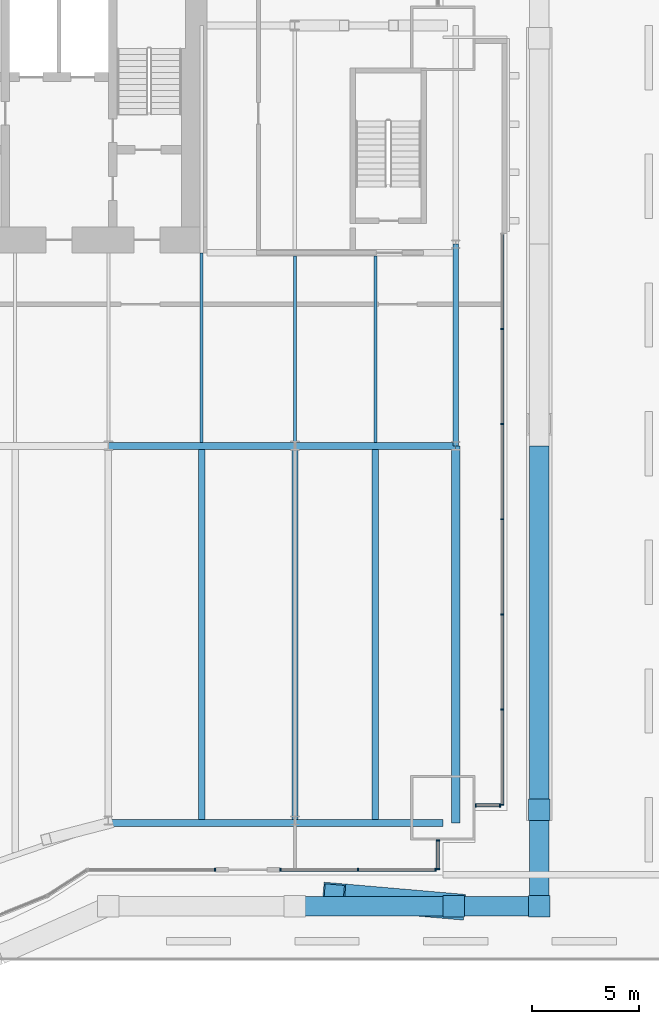
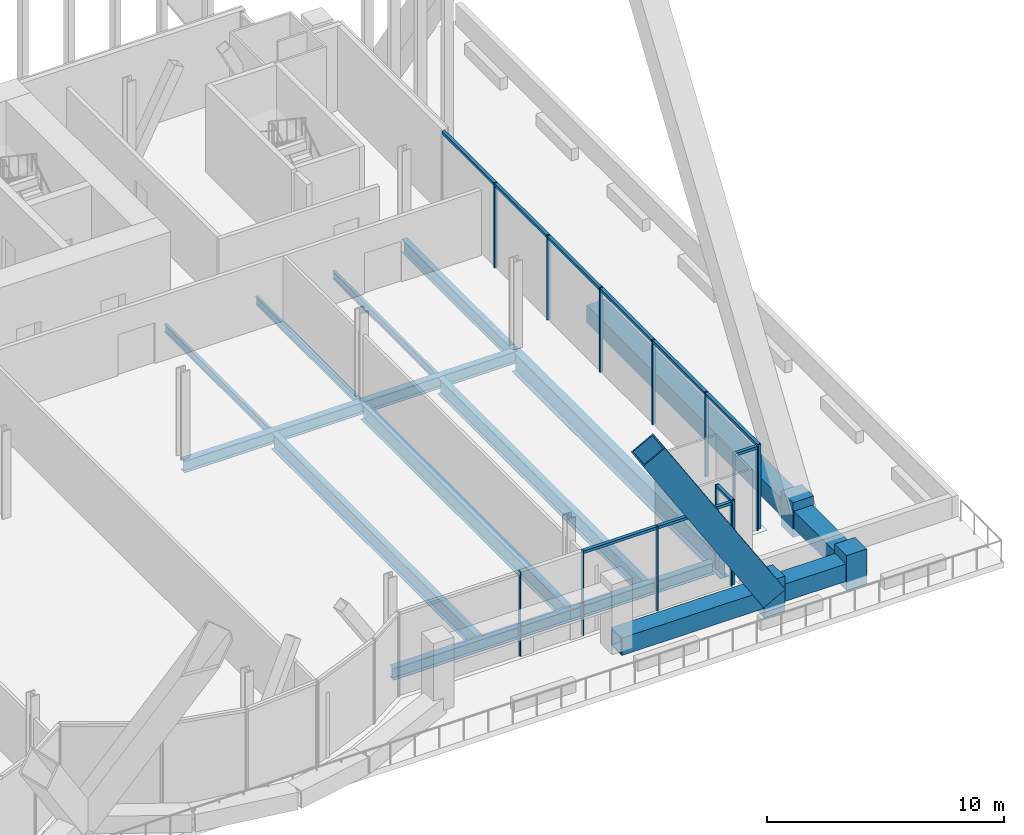
# One storey, part 15 of 29: 32 members, 12 beams, 5 elements without a shape of their own.
"""IFC4 building model written with IfcOpenShell, lengths in metres."""

from ifc_helpers import new_model, si_unit, direction, frame, origin, origin_2d, place, context, subcontext, project, spatial, rectangle, hollow_rectangle, i_section, extrude, material, material_profile, profile_set, type_object, element, aggregate, save


model = new_model("IFC4")

# Units and contexts
model_context = context("Model", 3, precision=1e-05, world=origin(), true_north=direction((0.0, 1.0)))
body_context = subcontext(model_context, "Body", "Model", "MODEL_VIEW")
ifc_project = project(units=[si_unit("LENGTHUNIT", "METRE"), si_unit("AREAUNIT", "SQUARE_METRE"), si_unit("VOLUMEUNIT", "CUBIC_METRE"), si_unit("PLANEANGLEUNIT", "RADIAN"), si_unit("MASSUNIT", "GRAM", prefix="KILO")], contexts=[model_context])

# Site, building, storey
site_placement = place(None, origin())
site = spatial("IfcSite", under=ifc_project, at=site_placement, CompositionType="ELEMENT")
building_placement = place(site_placement, origin())
building = spatial("IfcBuilding", under=site, at=building_placement, Name="Bicima Exchange Tower", CompositionType="ELEMENT")
storey_placement = place(building_placement, frame((0.0, 0.0, 35.0)))
storey = spatial("IfcBuildingStorey", under=building, at=storey_placement, Name="L06", CompositionType="ELEMENT", Elevation=35.0)

# Curtain wall, members
ifc_material_1 = material(Name="Anodised bronze aluminium", Category="aluminium")
curtain_wall_type_1 = type_object("IfcCurtainWallType", Name="End face glass wall", PredefinedType="NOTDEFINED", material=ifc_material_1)
curtain_wall_1_placement = place(storey_placement, origin())
curtain_wall_1 = element("IfcCurtainWall", 1, at=curtain_wall_1_placement, inside=storey, type_object=curtain_wall_type_1, Name="End face glass wall L06 run 19", PredefinedType="NOTDEFINED")
ifc_material_profile_1 = material_profile(ifc_material_1, rectangle(XDim=0.159912109375, YDim=0.06005859375, at=origin_2d()))
ifc_profile_set_1 = profile_set([ifc_material_profile_1], Name="Anodised bronze aluminium")
member_type_1 = type_object("IfcMemberType", Name="End face glass wall mullion 60 x 160", PredefinedType="MULLION", material=ifc_profile_set_1)
member_1_placement = place(storey_placement, frame((35.77001953125, -38.739990234375, 0.0), z_axis=(0.0, 0.0, 1.0), x_axis=(-1.0, 0.0, 0.0)))
member_1 = element("IfcMember", 2, at=member_1_placement, type_object=member_type_1, Name="End face glass wall mullion 1", PredefinedType="MULLION", context=body_context, shape_type="SweptSolid", body=[
    extrude(rectangle(XDim=0.159912109375, YDim=0.06005859375, at=origin_2d()), origin(), (0.0, 0.0, 1.0), 4.35009765625),
])
member_2_placement = place(storey_placement, frame((35.77001953125, -34.3017578125, 0.0), z_axis=(0.0, 0.0, 1.0), x_axis=(-1.0, 0.0, 0.0)))
member_2 = element("IfcMember", 3, at=member_2_placement, type_object=member_type_1, Name="End face glass wall mullion 2", PredefinedType="MULLION", context=body_context, shape_type="SweptSolid", body=[
    extrude(rectangle(XDim=0.159912109375, YDim=0.06005859375, at=origin_2d()), origin(), (0.0, 0.0, 1.0), 4.35009765625),
])
member_3_placement = place(storey_placement, frame((35.77001953125, -29.86328125, 0.0), z_axis=(0.0, 0.0, 1.0), x_axis=(-1.0, 0.0, 0.0)))
member_3 = element("IfcMember", 4, at=member_3_placement, type_object=member_type_1, Name="End face glass wall mullion 3", PredefinedType="MULLION", context=body_context, shape_type="SweptSolid", body=[
    extrude(rectangle(XDim=0.159912109375, YDim=0.06005859375, at=origin_2d()), origin(), (0.0, 0.0, 1.0), 4.35009765625),
])
member_4_placement = place(storey_placement, frame((35.77001953125, -25.425048828125, 0.0), z_axis=(0.0, 0.0, 1.0), x_axis=(-1.0, 0.0, 0.0)))
member_4 = element("IfcMember", 5, at=member_4_placement, type_object=member_type_1, Name="End face glass wall mullion 4", PredefinedType="MULLION", context=body_context, shape_type="SweptSolid", body=[
    extrude(rectangle(XDim=0.159912109375, YDim=0.06005859375, at=origin_2d()), origin(), (0.0, 0.0, 1.0), 4.35009765625),
])
member_5_placement = place(storey_placement, frame((35.77001953125, -20.98681640625, 0.0), z_axis=(0.0, 0.0, 1.0), x_axis=(-1.0, 0.0, 0.0)))
member_5 = element("IfcMember", 6, at=member_5_placement, type_object=member_type_1, Name="End face glass wall mullion 5", PredefinedType="MULLION", context=body_context, shape_type="SweptSolid", body=[
    extrude(rectangle(XDim=0.159912109375, YDim=0.06005859375, at=origin_2d()), origin(), (0.0, 0.0, 1.0), 4.35009765625),
])
member_6_placement = place(storey_placement, frame((35.77001953125, -16.54833984375, 0.0), z_axis=(0.0, 0.0, 1.0), x_axis=(-1.0, 0.0, 0.0)))
member_6 = element("IfcMember", 7, at=member_6_placement, type_object=member_type_1, Name="End face glass wall mullion 6", PredefinedType="MULLION", context=body_context, shape_type="SweptSolid", body=[
    extrude(rectangle(XDim=0.159912109375, YDim=0.06005859375, at=origin_2d()), origin(), (0.0, 0.0, 1.0), 4.35009765625),
])
ifc_material_profile_2 = material_profile(ifc_material_1, rectangle(XDim=0.159912109375, YDim=0.139892578125, at=origin_2d()))
ifc_profile_set_2 = profile_set([ifc_material_profile_2], Name="Anodised bronze aluminium")
member_type_2 = type_object("IfcMemberType", Name="End face glass wall transom 140 x 160", PredefinedType="USERDEFINED", material=ifc_profile_set_2)
member_7_placement = place(storey_placement, frame((35.77001953125, -38.7099609375, 4.280029296875), z_axis=(0.0, 1.0, 0.0), x_axis=(-1.0, 0.0, 0.0)))
member_7 = element("IfcMember", 8, at=member_7_placement, type_object=member_type_2, Name="End face glass wall transom 1.1", ObjectType="TRANSOM", PredefinedType="USERDEFINED", context=body_context, shape_type="SweptSolid", body=[
    extrude(rectangle(XDim=0.159912109375, YDim=0.139892578125, at=origin_2d()), origin(), (0.0, 0.0, 1.0), 4.378173828125),
])
member_8_placement = place(storey_placement, frame((35.77001953125, -34.271728515625, 4.280029296875), z_axis=(0.0, 1.0, 0.0), x_axis=(-1.0, 0.0, 0.0)))
member_8 = element("IfcMember", 9, at=member_8_placement, type_object=member_type_2, Name="End face glass wall transom 2.1", ObjectType="TRANSOM", PredefinedType="USERDEFINED", context=body_context, shape_type="SweptSolid", body=[
    extrude(rectangle(XDim=0.159912109375, YDim=0.139892578125, at=origin_2d()), origin(), (0.0, 0.0, 1.0), 4.37841796875),
])
member_9_placement = place(storey_placement, frame((35.77001953125, -29.833251953125, 4.280029296875), z_axis=(0.0, 1.0, 0.0), x_axis=(-1.0, 0.0, 0.0)))
member_9 = element("IfcMember", 10, at=member_9_placement, type_object=member_type_2, Name="End face glass wall transom 3.1", ObjectType="TRANSOM", PredefinedType="USERDEFINED", context=body_context, shape_type="SweptSolid", body=[
    extrude(rectangle(XDim=0.159912109375, YDim=0.139892578125, at=origin_2d()), origin(), (0.0, 0.0, 1.0), 4.378173828125),
])
member_10_placement = place(storey_placement, frame((35.77001953125, -25.39501953125, 4.280029296875), z_axis=(0.0, 1.0, 0.0), x_axis=(-1.0, 0.0, 0.0)))
member_10 = element("IfcMember", 11, at=member_10_placement, type_object=member_type_2, Name="End face glass wall transom 4.1", ObjectType="TRANSOM", PredefinedType="USERDEFINED", context=body_context, shape_type="SweptSolid", body=[
    extrude(rectangle(XDim=0.159912109375, YDim=0.139892578125, at=origin_2d()), origin(), (0.0, 0.0, 1.0), 4.37841796875),
])
member_11_placement = place(storey_placement, frame((35.77001953125, -20.956787109375, 4.280029296875), z_axis=(0.0, 1.0, 0.0), x_axis=(-1.0, 0.0, 0.0)))
member_11 = element("IfcMember", 12, at=member_11_placement, type_object=member_type_2, Name="End face glass wall transom 5.1", ObjectType="TRANSOM", PredefinedType="USERDEFINED", context=body_context, shape_type="SweptSolid", body=[
    extrude(rectangle(XDim=0.159912109375, YDim=0.139892578125, at=origin_2d()), origin(), (0.0, 0.0, 1.0), 4.37841796875),
])
member_12_placement = place(storey_placement, frame((35.77001953125, -16.518310546875, 4.280029296875), z_axis=(0.0, 1.0, 0.0), x_axis=(-1.0, 0.0, 0.0)))
member_12 = element("IfcMember", 13, at=member_12_placement, type_object=member_type_2, Name="End face glass wall transom 6.1", ObjectType="TRANSOM", PredefinedType="USERDEFINED", context=body_context, shape_type="SweptSolid", body=[
    extrude(rectangle(XDim=0.159912109375, YDim=0.139892578125, at=origin_2d()), origin(), (0.0, 0.0, 1.0), 4.37841796875),
])
aggregate(curtain_wall_1, [member_1, member_2, member_3, member_4, member_5, member_6, member_7, member_8, member_9, member_10, member_11, member_12])

# Beams
ifc_material_2 = material(Name="Steel ASTM A992 Gr 50", Category="steel")
ifc_material_profile_3 = material_profile(ifc_material_2, i_section(OverallWidth=0.256591796875, OverallDepth=0.693359375, WebThickness=0.014404296875, FlangeThickness=0.023681640625, at=origin_2d()))
ifc_profile_set_3 = profile_set([ifc_material_profile_3], Name="Steel ASTM A992 Gr 50")
beam_type_1 = type_object("IfcBeamType", Name="End girder W27x114", PredefinedType="BEAM", material=ifc_profile_set_3)
beam_1_placement = place(storey_placement, frame((33.60009765625, -12.60009765625, -0.49658203125), z_axis=(0.0, -1.0, 0.0), x_axis=(1.0, 0.0, 0.0)))
element("IfcBeam", 14, at=beam_1_placement, inside=storey, type_object=beam_type_1, Name="End girder", PredefinedType="BEAM", context=body_context, shape_type="SweptSolid", body=[
    extrude(i_section(OverallWidth=0.256591796875, OverallDepth=0.693359375, WebThickness=0.014404296875, FlangeThickness=0.023681640625, at=origin_2d()), origin(), (0.0, 0.0, 1.0), 9.39990234375),
])
ifc_material_profile_4 = material_profile(ifc_material_2, i_section(OverallWidth=0.4013671875, OverallDepth=1.089599609375, WebThickness=0.01806640625, FlangeThickness=0.031005859375, at=origin_2d()))
ifc_profile_set_4 = profile_set([ifc_material_profile_4], Name="Steel ASTM A992 Gr 50")
beam_type_2 = type_object("IfcBeamType", Name="End girder W44x230", PredefinedType="BEAM", material=ifc_profile_set_4)
beam_2_placement = place(storey_placement, frame((33.60009765625, -22.0, -0.69482421875), z_axis=(0.0, -1.0, 0.0), x_axis=(1.0, 0.0, 0.0)))
element("IfcBeam", 15, at=beam_2_placement, inside=storey, type_object=beam_type_2, Name="End girder", PredefinedType="BEAM", context=body_context, shape_type="SweptSolid", body=[
    extrude(i_section(OverallWidth=0.4013671875, OverallDepth=1.089599609375, WebThickness=0.01806640625, FlangeThickness=0.031005859375, at=origin_2d()), origin(), (0.0, 0.0, 1.0), 17.60009765625),
])

# Members
ifc_material_3 = material(Name="Steel ASTM A572 Gr 50", Category="steel")
ifc_material_profile_5 = material_profile(ifc_material_3, hollow_rectangle(XDim=0.89990234375, YDim=0.89990234375, WallThickness=0.050048828125, at=origin_2d()))
ifc_profile_set_5 = profile_set([ifc_material_profile_5], Name="Steel ASTM A572 Gr 50")
member_type_3 = type_object("IfcMemberType", Name="Exo belt ring BOX 900x900x50", PredefinedType="CHORD", material=ifc_profile_set_5)
member_13_placement = place(storey_placement, frame((26.10009765625, -43.4755859375, 0.449951171875), z_axis=(1.0, 0.0, 0.0), x_axis=(0.0, 1.0, 0.0)))
element("IfcMember", 16, at=member_13_placement, inside=storey, type_object=member_type_3, Name="Exo belt ring", PredefinedType="CHORD", context=body_context, shape_type="SweptSolid", body=[
    extrude(hollow_rectangle(XDim=0.89990234375, YDim=0.89990234375, WallThickness=0.050048828125, at=origin_2d()), origin(), (0.0, 0.0, 1.0), 7.39990234375),
])
member_14_placement = place(storey_placement, frame((33.5, -43.4755859375, 0.449951171875), z_axis=(1.0, 0.0, 0.0), x_axis=(0.0, 1.0, 0.0)))
element("IfcMember", 17, at=member_14_placement, inside=storey, type_object=member_type_3, Name="Exo belt ring", PredefinedType="CHORD", context=body_context, shape_type="SweptSolid", body=[
    extrude(hollow_rectangle(XDim=0.89990234375, YDim=0.89990234375, WallThickness=0.050048828125, at=origin_2d()), origin(), (0.0, 0.0, 1.0), 4.0),
])
member_15_placement = place(storey_placement, frame((37.5, -43.4755859375, 0.449951171875), z_axis=(0.0, 1.0, 0.0), x_axis=(-1.0, 0.0, 0.0)))
element("IfcMember", 18, at=member_15_placement, inside=storey, type_object=member_type_3, Name="Exo belt ring", PredefinedType="CHORD", context=body_context, shape_type="SweptSolid", body=[
    extrude(hollow_rectangle(XDim=0.89990234375, YDim=0.89990234375, WallThickness=0.050048828125, at=origin_2d()), origin(), (0.0, 0.0, 1.0), 4.5),
])
member_16_placement = place(storey_placement, frame((37.5, -38.9755859375, 0.449951171875), z_axis=(0.0, 1.0, 0.0), x_axis=(-1.0, 0.0, 0.0)))
element("IfcMember", 19, at=member_16_placement, inside=storey, type_object=member_type_3, Name="Exo belt ring", PredefinedType="CHORD", context=body_context, shape_type="SweptSolid", body=[
    extrude(hollow_rectangle(XDim=0.89990234375, YDim=0.89990234375, WallThickness=0.050048828125, at=origin_2d()), origin(), (0.0, 0.0, 1.0), 16.9755859375),
])
ifc_material_profile_6 = material_profile(ifc_material_3, hollow_rectangle(XDim=1.199951171875, YDim=1.199951171875, WallThickness=0.070068359375, at=origin_2d()))
ifc_profile_set_6 = profile_set([ifc_material_profile_6], Name="Steel ASTM A572 Gr 50")
member_type_4 = type_object("IfcMemberType", Name="Exo mega brace BOX 1200x1200x70", PredefinedType="BRACE", material=ifc_profile_set_6)
member_17_placement = place(storey_placement, frame((33.5, -43.4755859375, 0.449951171875), z_axis=(-0.529787675705, 0.045915395218, 0.84688653027), x_axis=(-0.086343872114, -0.996265394234, 0.0)))
element("IfcMember", 20, at=member_17_placement, inside=storey, type_object=member_type_4, Name="Exo mega brace front", PredefinedType="BRACE", context=body_context, shape_type="SweptSolid", body=[
    extrude(hollow_rectangle(XDim=1.199951171875, YDim=1.199951171875, WallThickness=0.070068359375, at=origin_2d()), origin(), (0.0, 0.0, 1.0), 10.53857421875),
])
ifc_material_4 = material(Name="Cast steel ASTM A216 Gr WCB", Category="steel")
ifc_material_profile_7 = material_profile(ifc_material_4, rectangle(XDim=1.0, YDim=1.0, at=origin_2d()))
ifc_profile_set_7 = profile_set([ifc_material_profile_7], Name="Cast steel ASTM A216 Gr WCB")
member_type_5 = type_object("IfcMemberType", Name="Exo node block", PredefinedType="POST", material=ifc_profile_set_7)
for number, where, z_axis, x_axis, name in (
    (21, (33.5, -43.4755859375, -0.449951171875), (0.0, 0.0, 1.0), (1.0, 0.0, 0.0), "Exo node block"),
    (22, (37.5, -43.4755859375, -0.449951171875), (0.0, 0.0, 1.0), (1.0, 0.0, 0.0), "Exo node block"),
    (23, (37.5, -38.9755859375, -0.449951171875), (0.0, 0.0, 1.0), (1.0, 0.0, 0.0), "Exo node block"),
):
    element("IfcMember", number, at=place(storey_placement, frame(where, z_axis=z_axis, x_axis=x_axis)), inside=storey, type_object=member_type_5, Name=name, PredefinedType="POST", context=body_context, shape_type="SweptSolid", body=[
        extrude(rectangle(XDim=1.0, YDim=1.0, at=origin_2d()), origin(), (0.0, 0.0, 1.0), 1.800048828125),
    ])

# Beams
ifc_material_profile_8 = material_profile(ifc_material_2, i_section(OverallWidth=0.140380859375, OverallDepth=0.40380859375, WebThickness=0.007080078125, FlangeThickness=0.01123046875, at=origin_2d()))
ifc_profile_set_8 = profile_set([ifc_material_profile_8], Name="Steel ASTM A992 Gr 50")
beam_type_3 = type_object("IfcBeamType", Name="Floor beam W16x31", PredefinedType="JOIST", material=ifc_profile_set_8)
beam_3_placement = place(storey_placement, frame((21.75, -13.0, -0.351806640625), z_axis=(0.0, -1.0, 0.0), x_axis=(1.0, 0.0, 0.0)))
element("IfcBeam", 24, at=beam_3_placement, inside=storey, type_object=beam_type_3, Name="Floor beam", PredefinedType="JOIST", context=body_context, shape_type="SweptSolid", body=[
    extrude(i_section(OverallWidth=0.140380859375, OverallDepth=0.40380859375, WebThickness=0.007080078125, FlangeThickness=0.01123046875, at=origin_2d()), origin(), (0.0, 0.0, 1.0), 8.83740234375),
])
for number, where, z_axis, x_axis, name in (
    (25, (26.10009765625, -13.15234375, -0.351806640625), (0.0, -1.0, 0.0), (1.0, 0.0, 0.0), "Floor beam"),
    (26, (29.85009765625, -13.15234375, -0.351806640625), (0.0, -1.0, 0.0), (1.0, 0.0, 0.0), "Floor beam"),
):
    element("IfcBeam", number, at=place(storey_placement, frame(where, z_axis=z_axis, x_axis=x_axis)), inside=storey, type_object=beam_type_3, Name=name, PredefinedType="JOIST", context=body_context, shape_type="SweptSolid", body=[
        extrude(i_section(OverallWidth=0.140380859375, OverallDepth=0.40380859375, WebThickness=0.007080078125, FlangeThickness=0.01123046875, at=origin_2d()), origin(), (0.0, 0.0, 1.0), 8.68505859375),
    ])
ifc_material_profile_9 = material_profile(ifc_material_2, i_section(OverallWidth=0.2919921875, OverallDepth=0.835693359375, WebThickness=0.013916015625, FlangeThickness=0.018798828125, at=origin_2d()))
ifc_profile_set_9 = profile_set([ifc_material_profile_9], Name="Steel ASTM A992 Gr 50")
beam_type_4 = type_object("IfcBeamType", Name="Floor beam W33x118", PredefinedType="JOIST", material=ifc_profile_set_9)
for number, where, z_axis, x_axis, name in (
    (27, (21.75, -22.16259765625, -0.56787109375), (0.0, -1.0, 0.0), (1.0, 0.0, 0.0), "Floor beam"),
    (28, (26.10009765625, -22.16259765625, -0.56787109375), (0.0, -1.0, 0.0), (1.0, 0.0, 0.0), "Floor beam"),
    (29, (29.85009765625, -22.16259765625, -0.56787109375), (0.0, -1.0, 0.0), (1.0, 0.0, 0.0), "Floor beam"),
):
    element("IfcBeam", number, at=place(storey_placement, frame(where, z_axis=z_axis, x_axis=x_axis)), inside=storey, type_object=beam_type_4, Name=name, PredefinedType="JOIST", context=body_context, shape_type="SweptSolid", body=[
        extrude(i_section(OverallWidth=0.2919921875, OverallDepth=0.835693359375, WebThickness=0.013916015625, FlangeThickness=0.018798828125, at=origin_2d()), origin(), (0.0, 0.0, 1.0), 17.27490234375),
    ])
ifc_material_profile_10 = material_profile(ifc_material_2, i_section(OverallWidth=0.3251953125, OverallDepth=0.612060546875, WebThickness=0.0126953125, FlangeThickness=0.01904296875, at=origin_2d()))
ifc_profile_set_10 = profile_set([ifc_material_profile_10], Name="Steel ASTM A992 Gr 50")
beam_type_5 = type_object("IfcBeamType", Name="Front girder W24x104", PredefinedType="BEAM", material=ifc_profile_set_10)
beam_4_placement = place(storey_placement, frame((17.39990234375, -39.60009765625, -0.4560546875), z_axis=(1.0, 0.0, 0.0), x_axis=(0.0, 1.0, 0.0)))
element("IfcBeam", 30, at=beam_4_placement, inside=storey, type_object=beam_type_5, Name="Front girder", PredefinedType="BEAM", context=body_context, shape_type="SweptSolid", body=[
    extrude(i_section(OverallWidth=0.3251953125, OverallDepth=0.612060546875, WebThickness=0.0126953125, FlangeThickness=0.01904296875, at=origin_2d()), origin(), (0.0, 0.0, 1.0), 8.7001953125),
])
beam_5_placement = place(storey_placement, frame((26.10009765625, -39.60009765625, -0.4560546875), z_axis=(1.0, 0.0, 0.0), x_axis=(0.0, 1.0, 0.0)))
element("IfcBeam", 31, at=beam_5_placement, inside=storey, type_object=beam_type_5, Name="Front girder", PredefinedType="BEAM", context=body_context, shape_type="SweptSolid", body=[
    extrude(i_section(OverallWidth=0.3251953125, OverallDepth=0.612060546875, WebThickness=0.0126953125, FlangeThickness=0.01904296875, at=origin_2d()), origin(), (0.0, 0.0, 1.0), 6.89990234375),
])

# Curtain wall, members
curtain_wall_type_2 = type_object("IfcCurtainWallType", Name="Front glass wall", PredefinedType="NOTDEFINED", material=ifc_material_1)
curtain_wall_2_placement = place(storey_placement, origin())
curtain_wall_2 = element("IfcCurtainWall", 32, at=curtain_wall_2_placement, inside=storey, type_object=curtain_wall_type_2, Name="Front glass wall L06 run 17", PredefinedType="NOTDEFINED")
member_type_6 = type_object("IfcMemberType", Name="Front glass wall mullion 60 x 160", PredefinedType="MULLION", material=ifc_profile_set_1)
member_18_placement = place(storey_placement, frame((32.77001953125, -41.739990234375, 0.0), z_axis=(0.0, 0.0, 1.0), x_axis=(-1.0, 0.0, 0.0)))
member_18 = element("IfcMember", 33, at=member_18_placement, type_object=member_type_6, Name="Front glass wall mullion 1", PredefinedType="MULLION", context=body_context, shape_type="SweptSolid", body=[
    extrude(rectangle(XDim=0.159912109375, YDim=0.06005859375, at=origin_2d()), origin(), (0.0, 0.0, 1.0), 4.35009765625),
])
member_19_placement = place(storey_placement, frame((32.77001953125, -40.407958984375, 0.0), z_axis=(0.0, 0.0, 1.0), x_axis=(-1.0, 0.0, 0.0)))
member_19 = element("IfcMember", 34, at=member_19_placement, type_object=member_type_6, Name="Front glass wall mullion 2", PredefinedType="MULLION", context=body_context, shape_type="SweptSolid", body=[
    extrude(rectangle(XDim=0.159912109375, YDim=0.06005859375, at=origin_2d()), origin(), (0.0, 0.0, 1.0), 4.35009765625),
])

curtain_wall_3_placement = place(storey_placement, origin())
curtain_wall_3 = element("IfcCurtainWall", 35, at=curtain_wall_3_placement, inside=storey, type_object=curtain_wall_type_2, Name="Front glass wall L06 run 18", PredefinedType="NOTDEFINED")
member_20_placement = place(storey_placement, frame((34.530029296875, -38.77001953125, 0.0), z_axis=(0.0, 0.0, 1.0), x_axis=(0.0, 1.0, 0.0)))
member_20 = element("IfcMember", 36, at=member_20_placement, type_object=member_type_6, Name="Front glass wall mullion 1", PredefinedType="MULLION", context=body_context, shape_type="SweptSolid", body=[
    extrude(rectangle(XDim=0.159912109375, YDim=0.06005859375, at=origin_2d()), origin(), (0.0, 0.0, 1.0), 4.35009765625),
])
member_21_placement = place(storey_placement, frame((35.659912109375, -38.77001953125, 0.0), z_axis=(0.0, 0.0, 1.0), x_axis=(0.0, 1.0, 0.0)))
member_21 = element("IfcMember", 37, at=member_21_placement, type_object=member_type_6, Name="Front glass wall mullion 2", PredefinedType="MULLION", context=body_context, shape_type="SweptSolid", body=[
    extrude(rectangle(XDim=0.159912109375, YDim=0.06005859375, at=origin_2d()), origin(), (0.0, 0.0, 1.0), 4.35009765625),
])

# Curtain wall, member
curtain_wall_4_placement = place(storey_placement, origin())
curtain_wall_4 = element("IfcCurtainWall", 38, at=curtain_wall_4_placement, inside=storey, type_object=curtain_wall_type_2, Name="Front glass wall L06 run 2.1", PredefinedType="NOTDEFINED")
member_22_placement = place(storey_placement, frame((22.3701171875, -41.77001953125, 0.0), z_axis=(0.0, 0.0, 1.0), x_axis=(0.0, 1.0, 0.0)))
member_22 = element("IfcMember", 39, at=member_22_placement, type_object=member_type_6, Name="Front glass wall mullion 2", PredefinedType="MULLION", context=body_context, shape_type="SweptSolid", body=[
    extrude(rectangle(XDim=0.159912109375, YDim=0.06005859375, at=origin_2d()), origin(), (0.0, 0.0, 1.0), 4.35009765625),
])
aggregate(curtain_wall_4, [member_22])

# Curtain wall, members
curtain_wall_5_placement = place(storey_placement, origin())
curtain_wall_5 = element("IfcCurtainWall", 40, at=curtain_wall_5_placement, inside=storey, type_object=curtain_wall_type_2, Name="Front glass wall L06 run 2.2", PredefinedType="NOTDEFINED")
member_23_placement = place(storey_placement, frame((25.429931640625, -41.77001953125, 0.0), z_axis=(0.0, 0.0, 1.0), x_axis=(0.0, 1.0, 0.0)))
member_23 = element("IfcMember", 41, at=member_23_placement, type_object=member_type_6, Name="Front glass wall mullion 1", PredefinedType="MULLION", context=body_context, shape_type="SweptSolid", body=[
    extrude(rectangle(XDim=0.159912109375, YDim=0.06005859375, at=origin_2d()), origin(), (0.0, 0.0, 1.0), 4.35009765625),
])
member_24_placement = place(storey_placement, frame((29.044921875, -41.77001953125, 0.0), z_axis=(0.0, 0.0, 1.0), x_axis=(0.0, 1.0, 0.0)))
member_24 = element("IfcMember", 42, at=member_24_placement, type_object=member_type_6, Name="Front glass wall mullion 2", PredefinedType="MULLION", context=body_context, shape_type="SweptSolid", body=[
    extrude(rectangle(XDim=0.159912109375, YDim=0.06005859375, at=origin_2d()), origin(), (0.0, 0.0, 1.0), 4.35009765625),
])
member_25_placement = place(storey_placement, frame((32.659912109375, -41.77001953125, 0.0), z_axis=(0.0, 0.0, 1.0), x_axis=(0.0, 1.0, 0.0)))
member_25 = element("IfcMember", 43, at=member_25_placement, type_object=member_type_6, Name="Front glass wall mullion 3", PredefinedType="MULLION", context=body_context, shape_type="SweptSolid", body=[
    extrude(rectangle(XDim=0.159912109375, YDim=0.06005859375, at=origin_2d()), origin(), (0.0, 0.0, 1.0), 4.35009765625),
])

# Member
member_type_7 = type_object("IfcMemberType", Name="Front glass wall transom 140 x 160", PredefinedType="USERDEFINED", material=ifc_profile_set_2)
member_26_placement = place(storey_placement, frame((32.77001953125, -41.7099609375, 4.280029296875), z_axis=(0.0, 1.0, 0.0), x_axis=(-1.0, 0.0, 0.0)))
member_26 = element("IfcMember", 44, at=member_26_placement, type_object=member_type_7, Name="Front glass wall transom 1.1", ObjectType="TRANSOM", PredefinedType="USERDEFINED", context=body_context, shape_type="SweptSolid", body=[
    extrude(rectangle(XDim=0.159912109375, YDim=0.139892578125, at=origin_2d()), origin(), (0.0, 0.0, 1.0), 1.27197265625),
])

aggregate(curtain_wall_2, [member_18, member_19, member_26])

member_27_placement = place(storey_placement, frame((34.56005859375, -38.77001953125, 4.280029296875), z_axis=(1.0, 0.0, 0.0), x_axis=(0.0, 1.0, 0.0)))
member_27 = element("IfcMember", 45, at=member_27_placement, type_object=member_type_7, Name="Front glass wall transom 1.1", ObjectType="TRANSOM", PredefinedType="USERDEFINED", context=body_context, shape_type="SweptSolid", body=[
    extrude(rectangle(XDim=0.159912109375, YDim=0.139892578125, at=origin_2d()), origin(), (0.0, 0.0, 1.0), 1.06982421875),
])

aggregate(curtain_wall_3, [member_20, member_21, member_27])

member_28_placement = place(storey_placement, frame((25.4599609375, -41.77001953125, 4.280029296875), z_axis=(1.0, 0.0, 0.0), x_axis=(0.0, 1.0, 0.0)))
member_28 = element("IfcMember", 46, at=member_28_placement, type_object=member_type_7, Name="Front glass wall transom 1.1", ObjectType="TRANSOM", PredefinedType="USERDEFINED", context=body_context, shape_type="SweptSolid", body=[
    extrude(rectangle(XDim=0.159912109375, YDim=0.139892578125, at=origin_2d()), origin(), (0.0, 0.0, 1.0), 3.554931640625),
])

member_29_placement = place(storey_placement, frame((29.074951171875, -41.77001953125, 4.280029296875), z_axis=(1.0, 0.0, 0.0), x_axis=(0.0, 1.0, 0.0)))
member_29 = element("IfcMember", 47, at=member_29_placement, type_object=member_type_7, Name="Front glass wall transom 2.1", ObjectType="TRANSOM", PredefinedType="USERDEFINED", context=body_context, shape_type="SweptSolid", body=[
    extrude(rectangle(XDim=0.159912109375, YDim=0.139892578125, at=origin_2d()), origin(), (0.0, 0.0, 1.0), 3.554931640625),
])

aggregate(curtain_wall_5, [member_23, member_24, member_25, member_28, member_29])

# Beams
beam_type_6 = type_object("IfcBeamType", Name="Row girder W24x104", PredefinedType="BEAM", material=ifc_profile_set_10)
beam_6_placement = place(storey_placement, frame((17.39990234375, -22.0, -0.4560546875), z_axis=(1.0, 0.0, 0.0), x_axis=(0.0, 1.0, 0.0)))
element("IfcBeam", 48, at=beam_6_placement, inside=storey, type_object=beam_type_6, Name="Row girder", PredefinedType="BEAM", context=body_context, shape_type="SweptSolid", body=[
    extrude(i_section(OverallWidth=0.3251953125, OverallDepth=0.612060546875, WebThickness=0.0126953125, FlangeThickness=0.01904296875, at=origin_2d()), origin(), (0.0, 0.0, 1.0), 8.7001953125),
])
beam_7_placement = place(storey_placement, frame((26.10009765625, -22.0, -0.4560546875), z_axis=(1.0, 0.0, 0.0), x_axis=(0.0, 1.0, 0.0)))
element("IfcBeam", 49, at=beam_7_placement, inside=storey, type_object=beam_type_6, Name="Row girder", PredefinedType="BEAM", context=body_context, shape_type="SweptSolid", body=[
    extrude(i_section(OverallWidth=0.3251953125, OverallDepth=0.612060546875, WebThickness=0.0126953125, FlangeThickness=0.01904296875, at=origin_2d()), origin(), (0.0, 0.0, 1.0), 7.5),
])

save(model, "model.ifc")
